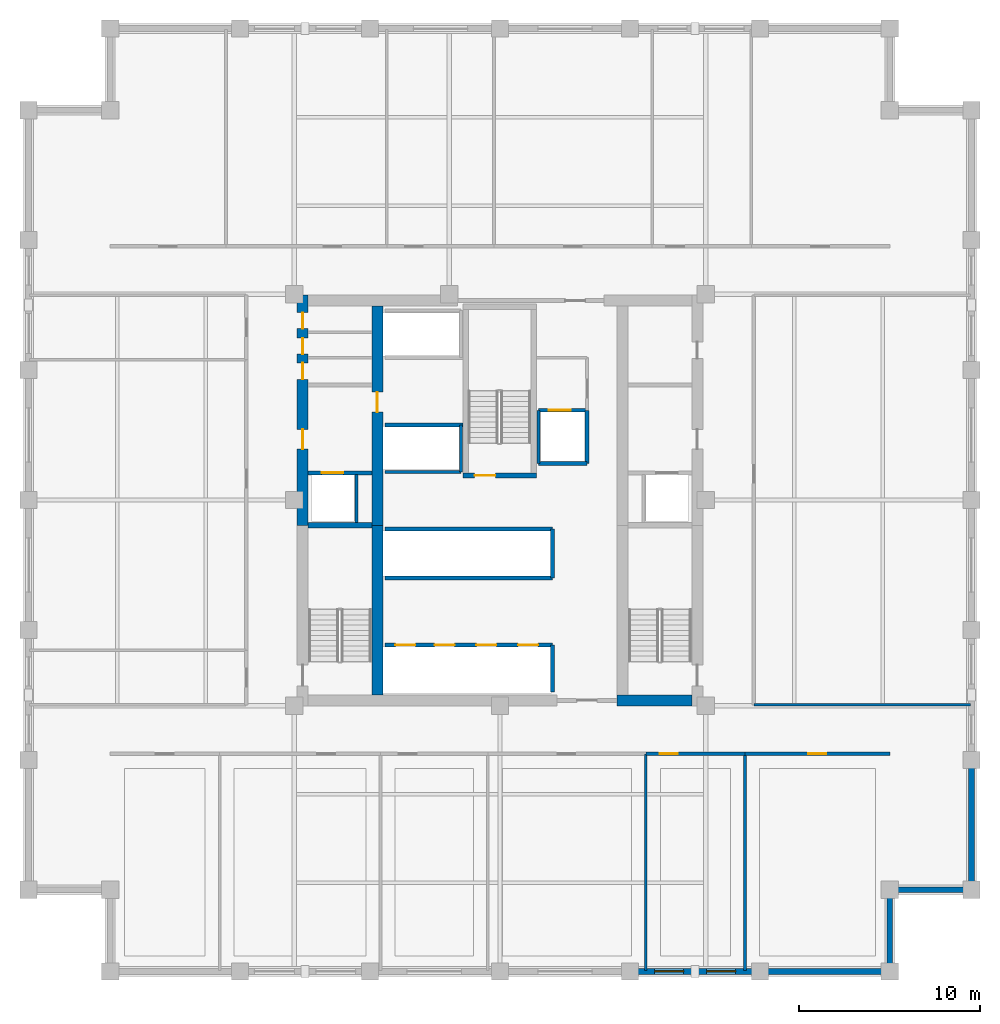
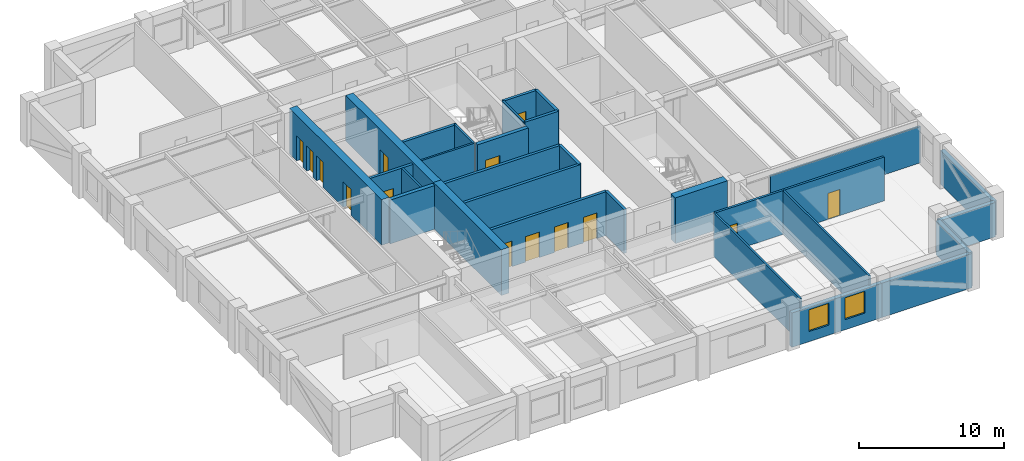
# One storey, part 3 of 9: 30 walls, 14 doors, 2 windows, 16 openings.
"""IFC4 building model written with IfcOpenShell, lengths in metres."""

from ifc_helpers import new_model, si_unit, direction, frame, frame_2d, origin, place, context, subcontext, project, spatial, rectangle, extrude, material, layer, layer_set, type_object, element, fill, save


model = new_model("IFC4")

# Units and contexts
model_context = context("Model", 3, precision=1e-05, world=origin(), true_north=direction((0.0, 1.0)))
body_context = subcontext(model_context, "Body", "Model", "MODEL_VIEW")
ifc_project = project(units=[si_unit("LENGTHUNIT", "METRE"), si_unit("AREAUNIT", "SQUARE_METRE"), si_unit("VOLUMEUNIT", "CUBIC_METRE"), si_unit("PLANEANGLEUNIT", "RADIAN"), si_unit("MASSUNIT", "GRAM", prefix="KILO")], contexts=[model_context])

# Site, building, storey
site_placement = place(None, origin())
site = spatial("IfcSite", under=ifc_project, at=site_placement, CompositionType="ELEMENT")
building_placement = place(site_placement, origin())
building = spatial("IfcBuilding", under=site, at=building_placement, Name="Nhamokura Convention Tower", CompositionType="ELEMENT")
storey_placement = place(building_placement, frame((0.0, 0.0, 122.14990234375)))
storey = spatial("IfcBuildingStorey", under=building, at=storey_placement, Name="L29", CompositionType="ELEMENT", Elevation=122.14990234375)

# Wall, openings, windows
ifc_material_1 = material(Name="Bronze-pigmented precast concrete C45/55", Category="concrete")
ifc_layer_1 = layer(ifc_material_1, 0.320068359375)
ifc_layer_set_1 = layer_set([ifc_layer_1], Name="BronzePrecastSpandrel_320")
wall_type_1 = type_object("IfcWallType", Name="BronzePrecastSpandrel_320", PredefinedType="USERDEFINED", material=ifc_layer_set_1)
wall_1_placement = place(storey_placement, frame((46.333251953125, 6.0, 0.0), z_axis=(0.0, 0.0, 1.0), x_axis=(-1.0, 0.0, 0.0)))
wall_1 = element("IfcWall", 1, at=wall_1_placement, inside=storey, type_object=wall_type_1, Name="L29 Masonry-Frame Wall SOUTH 4", ObjectType="SPANDREL_WALL", PredefinedType="USERDEFINED", context=body_context, shape_type="SweptSolid", body=[
    extrude(rectangle(XDim=7.16650390625, YDim=0.320068359375, at=frame_2d((3.583251953125, 0.0))), origin(), (0.0, 0.0, 1.0), 2.885009765625),
])
opening_1_placement = place(wall_1_placement, frame((1.341796875, 0.0, 0.85009765625)))
opening_1 = element("IfcOpeningElement", 2, at=opening_1_placement, cuts=wall_1, Name="Opening W-11", PredefinedType="OPENING", context=body_context, shape_type="SweptSolid", body=[
    extrude(rectangle(XDim=1.60009765625, YDim=1.8349609375, at=frame_2d((0.800048828125, 0.91748046875))), frame((0.0, 0.169921875, 0.0), z_axis=(0.0, -1.0, 0.0), x_axis=(1.0, 0.0, 0.0)), (0.0, 0.0, 1.0), 0.340087890625),
])
opening_2_placement = place(wall_1_placement, frame((4.199951171875, 0.0, 0.85009765625)))
opening_2 = element("IfcOpeningElement", 3, at=opening_2_placement, cuts=wall_1, Name="Opening W-11", PredefinedType="OPENING", context=body_context, shape_type="SweptSolid", body=[
    extrude(rectangle(XDim=1.60009765625, YDim=1.8349609375, at=frame_2d((0.800048828125, 0.91748046875))), frame((0.0, 0.169921875, 0.0), z_axis=(0.0, -1.0, 0.0), x_axis=(1.0, 0.0, 0.0)), (0.0, 0.0, 1.0), 0.340087890625),
])
ifc_material_2 = material(Name="Solar-control bronze low-E double glass", Category="glass")
window_type = type_object("IfcWindowType", Name="NotchCornerWindow_1600", PartitioningType="SINGLE_PANEL", PredefinedType="WINDOW", material=ifc_material_2)
window_1_placement = place(opening_1_placement, origin())
window_1 = element("IfcWindow", 4, at=window_1_placement, inside=storey, type_object=window_type, Name="L29 Facade Window SOUTH 4-1", OverallHeight=1.8349609375, OverallWidth=1.60009765625, PartitioningType="SINGLE_PANEL", PredefinedType="WINDOW", context=body_context, shape_type="SweptSolid", body=[
    extrude(rectangle(XDim=1.60009765625, YDim=1.8349609375, at=frame_2d((0.800048828125, 0.91748046875))), frame((0.0, 0.030029296875, 0.0), z_axis=(0.0, -1.0, 0.0), x_axis=(1.0, 0.0, 0.0)), (0.0, 0.0, 1.0), 0.06005859375),
])
fill(opening_1, window_1)
window_2_placement = place(opening_2_placement, origin())
window_2 = element("IfcWindow", 5, at=window_2_placement, inside=storey, type_object=window_type, Name="L29 Facade Window SOUTH 4-2", OverallHeight=1.8349609375, OverallWidth=1.60009765625, PartitioningType="SINGLE_PANEL", PredefinedType="WINDOW", context=body_context, shape_type="SweptSolid", body=[
    extrude(rectangle(XDim=1.60009765625, YDim=1.8349609375, at=frame_2d((0.800048828125, 0.91748046875))), frame((0.0, 0.030029296875, 0.0), z_axis=(0.0, -1.0, 0.0), x_axis=(1.0, 0.0, 0.0)), (0.0, 0.0, 1.0), 0.06005859375),
])
fill(opening_2, window_2)

# Walls
for number, where, z_axis, x_axis, name in (
    (6, (53.5, 6.0, 0.0), (0.0, 0.0, 1.0), (-1.0, 0.0, 0.0), "L29 Braced-Bay Precast Wall SOUTH 5"),
    (7, (58.0, 17.666748046875, 0.0), (0.0, 0.0, 1.0), (0.0, -1.0, 0.0), "L29 Braced-Bay Precast Wall EAST 0"),
):
    element("IfcWall", number, at=place(storey_placement, frame(where, z_axis=z_axis, x_axis=x_axis)), inside=storey, type_object=wall_type_1, Name=name, ObjectType="SPANDREL_WALL", PredefinedType="USERDEFINED", context=body_context, shape_type="SweptSolid", body=[
        extrude(rectangle(XDim=7.166748046875, YDim=0.320068359375, at=frame_2d((3.58349609375, 0.0))), origin(), (0.0, 0.0, 1.0), 2.885009765625),
    ])
for number, where, z_axis, x_axis, name in (
    (8, (53.5, 10.5, 0.0), (0.0, 0.0, 1.0), (0.0, -1.0, 0.0), "L29 Notched Corner Wall SE1"),
    (9, (58.0, 10.5, 0.0), (0.0, 0.0, 1.0), (-1.0, 0.0, 0.0), "L29 Notched Corner Wall SE2"),
):
    element("IfcWall", number, at=place(storey_placement, frame(where, z_axis=z_axis, x_axis=x_axis)), inside=storey, type_object=wall_type_1, Name=name, ObjectType="SPANDREL_WALL", PredefinedType="USERDEFINED", context=body_context, shape_type="SweptSolid", body=[
        extrude(rectangle(XDim=4.5, YDim=0.320068359375, at=frame_2d((2.25, 0.0))), origin(), (0.0, 0.0, 1.0), 2.885009765625),
    ])

# Wall, openings, doors
ifc_material_3 = material(Name="Concrete C60/75", Category="concrete")
ifc_layer_2 = layer(ifc_material_3, 0.60009765625)
ifc_layer_set_2 = layer_set([ifc_layer_2], Name="CoreShearWall_600")
wall_type_2 = type_object("IfcWallType", Name="CoreShearWall_600", PredefinedType="SHEAR", material=ifc_layer_set_2)
wall_2_placement = place(storey_placement, frame((21.110107421875, 30.60009765625, 0.0), z_axis=(0.0, 0.0, 1.0), x_axis=(0.0, 1.0, 0.0)))
wall_2 = element("IfcWall", 10, at=wall_2_placement, inside=storey, type_object=wall_type_2, Name="L29 Core Shear Wall CW-WN", PredefinedType="SHEAR", context=body_context, shape_type="SweptSolid", body=[
    extrude(rectangle(XDim=12.699951171875, YDim=0.60009765625, at=frame_2d((6.35009765625, 0.0))), origin(), (0.0, 0.0, 1.0), 3.85009765625),
])
opening_3_placement = place(wall_2_placement, frame((4.199951171875, 0.0, 0.0)))
opening_3 = element("IfcOpeningElement", 11, at=opening_3_placement, cuts=wall_2, Name="Opening D-05", PredefinedType="OPENING", context=body_context, shape_type="SweptSolid", body=[
    extrude(rectangle(XDim=1.10009765625, YDim=2.14990234375, at=frame_2d((0.550048828125, 1.074951171875))), frame((0.0, 0.31005859375, 0.0), z_axis=(0.0, -1.0, 0.0), x_axis=(1.0, 0.0, 0.0)), (0.0, 0.0, 1.0), 0.6201171875),
])
opening_4_placement = place(wall_2_placement, frame((8.050048828125, 0.0, 0.0)))
opening_4 = element("IfcOpeningElement", 12, at=opening_4_placement, cuts=wall_2, Name="Opening D-10", PredefinedType="OPENING", context=body_context, shape_type="SweptSolid", body=[
    extrude(rectangle(XDim=0.919921875, YDim=2.10009765625, at=frame_2d((0.4599609375, 1.050048828125))), frame((0.0, 0.31005859375, 0.0), z_axis=(0.0, -1.0, 0.0), x_axis=(1.0, 0.0, 0.0)), (0.0, 0.0, 1.0), 0.6201171875),
])
opening_5_placement = place(wall_2_placement, frame((9.449951171875, 0.0, 0.0)))
opening_5 = element("IfcOpeningElement", 13, at=opening_5_placement, cuts=wall_2, Name="Opening D-11", PredefinedType="OPENING", context=body_context, shape_type="SweptSolid", body=[
    extrude(rectangle(XDim=0.8798828125, YDim=2.10009765625, at=frame_2d((0.43994140625, 1.050048828125))), frame((0.0, 0.31005859375, 0.0), z_axis=(0.0, -1.0, 0.0), x_axis=(1.0, 0.0, 0.0)), (0.0, 0.0, 1.0), 0.6201171875),
])
opening_6_placement = place(wall_2_placement, frame((10.85009765625, 0.0, 0.0)))
opening_6 = element("IfcOpeningElement", 14, at=opening_6_placement, cuts=wall_2, Name="Opening D-11", PredefinedType="OPENING", context=body_context, shape_type="SweptSolid", body=[
    extrude(rectangle(XDim=0.8798828125, YDim=2.10009765625, at=frame_2d((0.43994140625, 1.050048828125))), frame((0.0, 0.31005859375, 0.0), z_axis=(0.0, -1.0, 0.0), x_axis=(1.0, 0.0, 0.0)), (0.0, 0.0, 1.0), 0.6201171875),
])
ifc_material_4 = material(Name="Solid oak hardwood", Category="wood")
door_type_1 = type_object("IfcDoorType", Name="AccessibleWCDoor_920", OperationType="NOTDEFINED", PredefinedType="DOOR", material=ifc_material_4)
door_1_placement = place(opening_4_placement, origin())
door_1 = element("IfcDoor", 15, at=door_1_placement, inside=storey, type_object=door_type_1, Name="L29 Core Door INT-L29-D-AWC", OperationType="SINGLE_SWING_LEFT", OverallHeight=2.10009765625, OverallWidth=0.919921875, PredefinedType="DOOR", context=body_context, shape_type="SweptSolid", body=[
    extrude(rectangle(XDim=0.919921875, YDim=2.10009765625, at=frame_2d((0.4599609375, 1.050048828125))), frame((0.0, 0.02490234375, 0.0), z_axis=(0.0, -1.0, 0.0), x_axis=(1.0, 0.0, 0.0)), (0.0, 0.0, 1.0), 0.050048828125),
])
fill(opening_4, door_1)
ifc_material_5 = material(Name="Solid oak hardwood", Category="wood")
door_type_2 = type_object("IfcDoorType", Name="BathroomDoor_880", OperationType="NOTDEFINED", PredefinedType="DOOR", material=ifc_material_5)
door_2_placement = place(opening_5_placement, origin())
door_2 = element("IfcDoor", 16, at=door_2_placement, inside=storey, type_object=door_type_2, Name="L29 Core Door INT-L29-D-CLN", OperationType="SINGLE_SWING_RIGHT", OverallHeight=2.10009765625, OverallWidth=0.8798828125, PredefinedType="DOOR", context=body_context, shape_type="SweptSolid", body=[
    extrude(rectangle(XDim=0.8798828125, YDim=2.10009765625, at=frame_2d((0.43994140625, 1.050048828125))), frame((0.0, 0.02490234375, 0.0), z_axis=(0.0, -1.0, 0.0), x_axis=(1.0, 0.0, 0.0)), (0.0, 0.0, 1.0), 0.050048828125),
])
fill(opening_5, door_2)
door_3_placement = place(opening_6_placement, origin())
door_3 = element("IfcDoor", 17, at=door_3_placement, inside=storey, type_object=door_type_2, Name="L29 Core Door INT-L29-D-PNT", OperationType="SINGLE_SWING_LEFT", OverallHeight=2.10009765625, OverallWidth=0.8798828125, PredefinedType="DOOR", context=body_context, shape_type="SweptSolid", body=[
    extrude(rectangle(XDim=0.8798828125, YDim=2.10009765625, at=frame_2d((0.43994140625, 1.050048828125))), frame((0.0, 0.02490234375, 0.0), z_axis=(0.0, -1.0, 0.0), x_axis=(1.0, 0.0, 0.0)), (0.0, 0.0, 1.0), 0.050048828125),
])
fill(opening_6, door_3)
ifc_material_6 = material(Name="Fire-rated steel door", Category="steel")
door_type_3 = type_object("IfcDoorType", Name="FireLobbyDoor_1100", OperationType="NOTDEFINED", PredefinedType="DOOR", material=ifc_material_6)
door_4_placement = place(opening_3_placement, origin())
door_4 = element("IfcDoor", 18, at=door_4_placement, inside=storey, type_object=door_type_3, Name="L29 Core Door INT-L29-D-FFLW", OperationType="SINGLE_SWING_RIGHT", OverallHeight=2.14990234375, OverallWidth=1.10009765625, PredefinedType="DOOR", context=body_context, shape_type="SweptSolid", body=[
    extrude(rectangle(XDim=1.10009765625, YDim=2.14990234375, at=frame_2d((0.550048828125, 1.074951171875))), frame((0.0, 0.02490234375, 0.0), z_axis=(0.0, -1.0, 0.0), x_axis=(1.0, 0.0, 0.0)), (0.0, 0.0, 1.0), 0.050048828125),
])
fill(opening_3, door_4)

# Walls
wall_3_placement = place(storey_placement, frame((38.449951171875, 20.949951171875, 0.0), z_axis=(0.0, 0.0, 1.0), x_axis=(1.0, 0.0, 0.0)))
element("IfcWall", 19, at=wall_3_placement, inside=storey, type_object=wall_type_2, Name="L29 Core Shear Wall CW-S2", PredefinedType="SHEAR", context=body_context, shape_type="SweptSolid", body=[
    extrude(rectangle(XDim=4.14013671875, YDim=0.60009765625, at=frame_2d((2.070068359375, 0.0))), origin(), (0.0, 0.0, 1.0), 3.85009765625),
])
wall_4_placement = place(storey_placement, frame((25.239990234375, 21.25, 0.0), z_axis=(0.0, 0.0, 1.0), x_axis=(0.0, 1.0, 0.0)))
element("IfcWall", 20, at=wall_4_placement, inside=storey, type_object=wall_type_2, Name="L29 Core Shear Wall CW-IWS", PredefinedType="SHEAR", context=body_context, shape_type="SweptSolid", body=[
    extrude(rectangle(XDim=9.35009765625, YDim=0.60009765625, at=frame_2d((4.675048828125, 0.0))), origin(), (0.0, 0.0, 1.0), 3.85009765625),
])

# Wall, opening, door
wall_5_placement = place(storey_placement, frame((25.239990234375, 30.60009765625, 0.0), z_axis=(0.0, 0.0, 1.0), x_axis=(0.0, 1.0, 0.0)))
wall_5 = element("IfcWall", 21, at=wall_5_placement, inside=storey, type_object=wall_type_2, Name="L29 Core Shear Wall CW-IWN", PredefinedType="SHEAR", context=body_context, shape_type="SweptSolid", body=[
    extrude(rectangle(XDim=12.099853515625, YDim=0.60009765625, at=frame_2d((6.0498046875, 0.0))), origin(), (0.0, 0.0, 1.0), 3.85009765625),
])
opening_7_placement = place(wall_5_placement, frame((6.25, 0.0, 0.0)))
opening_7 = element("IfcOpeningElement", 22, at=opening_7_placement, cuts=wall_5, Name="Opening D-05", PredefinedType="OPENING", context=body_context, shape_type="SweptSolid", body=[
    extrude(rectangle(XDim=1.10009765625, YDim=2.14990234375, at=frame_2d((0.550048828125, 1.074951171875))), frame((0.0, 0.31005859375, 0.0), z_axis=(0.0, -1.0, 0.0), x_axis=(1.0, 0.0, 0.0)), (0.0, 0.0, 1.0), 0.6201171875),
])
door_5_placement = place(opening_7_placement, origin())
door_5 = element("IfcDoor", 23, at=door_5_placement, inside=storey, type_object=door_type_3, Name="L29 Core Door INT-L29-D-B3LOB", OperationType="SINGLE_SWING_LEFT", OverallHeight=2.14990234375, OverallWidth=1.10009765625, PredefinedType="DOOR", context=body_context, shape_type="SweptSolid", body=[
    extrude(rectangle(XDim=1.10009765625, YDim=2.14990234375, at=frame_2d((0.550048828125, 1.074951171875))), frame((0.0, 0.02490234375, 0.0), z_axis=(0.0, -1.0, 0.0), x_axis=(1.0, 0.0, 0.0)), (0.0, 0.0, 1.0), 0.050048828125),
])
fill(opening_7, door_5)

ifc_material_7 = material(Name="Fire-rated gypsum and masonry partition", Category="masonry")
ifc_layer_3 = layer(ifc_material_7, 0.179931640625)
ifc_layer_set_3 = layer_set([ifc_layer_3], Name="CorridorRatedWall_180")
wall_type_3 = type_object("IfcWallType", Name="CorridorRatedWall_180", PredefinedType="STANDARD", material=ifc_layer_set_3)
wall_6_placement = place(storey_placement, frame((40.041748046875, 18.0, 0.0), z_axis=(0.0, 0.0, 1.0), x_axis=(1.0, 0.0, 0.0)))
wall_6 = element("IfcWall", 24, at=wall_6_placement, inside=storey, type_object=wall_type_3, Name="L29 Wall INT-L29-CW-S04", PredefinedType="STANDARD", context=body_context, shape_type="SweptSolid", body=[
    extrude(rectangle(XDim=5.466552734375, YDim=0.179931640625, at=frame_2d((2.7333984375, 0.0))), origin(), (0.0, 0.0, 1.0), 3.68505859375),
])
opening_8_placement = place(wall_6_placement, frame((0.783203125, 0.0, 0.0)))
opening_8 = element("IfcOpeningElement", 25, at=opening_8_placement, cuts=wall_6, Name="Opening D-08", PredefinedType="OPENING", context=body_context, shape_type="SweptSolid", body=[
    extrude(rectangle(XDim=0.97998046875, YDim=2.199951171875, at=frame_2d((0.489990234375, 1.10009765625))), frame((0.0, 0.099853515625, 0.0), z_axis=(0.0, -1.0, 0.0), x_axis=(1.0, 0.0, 0.0)), (0.0, 0.0, 1.0), 0.199951171875),
])
ifc_material_8 = material(Name="Solid oak hardwood", Category="wood")
door_type_4 = type_object("IfcDoorType", Name="OfficeEntryDoor_980", OperationType="NOTDEFINED", PredefinedType="DOOR", material=ifc_material_8)
door_6_placement = place(opening_8_placement, origin())
door_6 = element("IfcDoor", 26, at=door_6_placement, inside=storey, type_object=door_type_4, Name="L29 Private Office S05 Door", OperationType="SINGLE_SWING_LEFT", OverallHeight=2.199951171875, OverallWidth=0.97998046875, PredefinedType="DOOR", context=body_context, shape_type="SweptSolid", body=[
    extrude(rectangle(XDim=0.97998046875, YDim=2.199951171875, at=frame_2d((0.489990234375, 1.10009765625))), frame((0.0, 0.02490234375, 0.0), z_axis=(0.0, -1.0, 0.0), x_axis=(1.0, 0.0, 0.0)), (0.0, 0.0, 1.0), 0.050048828125),
])
fill(opening_8, door_6)

wall_7_placement = place(storey_placement, frame((45.50830078125, 18.0, 0.0), z_axis=(0.0, 0.0, 1.0), x_axis=(1.0, 0.0, 0.0)))
wall_7 = element("IfcWall", 27, at=wall_7_placement, inside=storey, type_object=wall_type_3, Name="L29 Wall INT-L29-CW-S05", PredefinedType="STANDARD", context=body_context, shape_type="SweptSolid", body=[
    extrude(rectangle(XDim=7.99169921875, YDim=0.179931640625, at=frame_2d((3.995849609375, 0.0))), origin(), (0.0, 0.0, 1.0), 3.68505859375),
])
opening_9_placement = place(wall_7_placement, frame((3.495849609375, 0.0, 0.0)))
opening_9 = element("IfcOpeningElement", 28, at=opening_9_placement, cuts=wall_7, Name="Opening D-08", PredefinedType="OPENING", context=body_context, shape_type="SweptSolid", body=[
    extrude(rectangle(XDim=0.97998046875, YDim=2.199951171875, at=frame_2d((0.489990234375, 1.10009765625))), frame((0.0, 0.099853515625, 0.0), z_axis=(0.0, -1.0, 0.0), x_axis=(1.0, 0.0, 0.0)), (0.0, 0.0, 1.0), 0.199951171875),
])
door_7_placement = place(opening_9_placement, origin())
door_7 = element("IfcDoor", 29, at=door_7_placement, inside=storey, type_object=door_type_4, Name="L29 Private Office S06 Door", OperationType="SINGLE_SWING_RIGHT", OverallHeight=2.199951171875, OverallWidth=0.97998046875, PredefinedType="DOOR", context=body_context, shape_type="SweptSolid", body=[
    extrude(rectangle(XDim=0.97998046875, YDim=2.199951171875, at=frame_2d((0.489990234375, 1.10009765625))), frame((0.0, 0.02490234375, 0.0), z_axis=(0.0, -1.0, 0.0), x_axis=(1.0, 0.0, 0.0)), (0.0, 0.0, 1.0), 0.050048828125),
])
fill(opening_9, door_7)

ifc_material_9 = material(Name="Autoclaved concrete blockwork", Category="masonry")
ifc_layer_4 = layer(ifc_material_9, 0.219970703125)
ifc_layer_set_4 = layer_set([ifc_layer_4], Name="FireLobbyWall_220")
wall_type_4 = type_object("IfcWallType", Name="FireLobbyWall_220", PredefinedType="STANDARD", material=ifc_layer_set_4)
wall_8_placement = place(storey_placement, frame((21.409912109375, 33.5, 0.0), z_axis=(0.0, 0.0, 1.0), x_axis=(1.0, 0.0, 0.0)))
wall_8 = element("IfcWall", 30, at=wall_8_placement, inside=storey, type_object=wall_type_4, Name="L29 Wall INT-L29-FFW-S", PredefinedType="STANDARD", context=body_context, shape_type="SweptSolid", body=[
    extrude(rectangle(XDim=3.530029296875, YDim=0.219970703125, at=frame_2d((1.76513671875, 0.0))), origin(), (0.0, 0.0, 1.0), 3.68505859375),
])
opening_10_placement = place(wall_8_placement, frame((0.75, 0.0, 0.0)))
opening_10 = element("IfcOpeningElement", 31, at=opening_10_placement, cuts=wall_8, Name="Opening LD-02", PredefinedType="OPENING", context=body_context, shape_type="SweptSolid", body=[
    extrude(rectangle(XDim=1.199951171875, YDim=2.199951171875, at=frame_2d((0.60009765625, 1.10009765625))), frame((0.0, 0.119873046875, 0.0), z_axis=(0.0, -1.0, 0.0), x_axis=(1.0, 0.0, 0.0)), (0.0, 0.0, 1.0), 0.239990234375),
])
ifc_material_10 = material(Name="Anodised bronze stainless steel", Category="steel")
door_type_5 = type_object("IfcDoorType", Name="LiftLandingDoor_FireService", OperationType="DOUBLE_DOOR_SLIDING", PredefinedType="DOOR", material=ifc_material_10)
door_8_placement = place(opening_10_placement, origin())
door_8 = element("IfcDoor", 32, at=door_8_placement, inside=storey, type_object=door_type_5, Name="L29 Firefighting Lift LF-01 Door", OperationType="DOUBLE_DOOR_SLIDING", OverallHeight=2.199951171875, OverallWidth=1.199951171875, PredefinedType="DOOR", context=body_context, shape_type="SweptSolid", body=[
    extrude(rectangle(XDim=1.199951171875, YDim=2.199951171875, at=frame_2d((0.60009765625, 1.10009765625))), frame((0.0, 0.02490234375, 0.0), z_axis=(0.0, -1.0, 0.0), x_axis=(1.0, 0.0, 0.0)), (0.0, 0.0, 1.0), 0.050048828125),
])
fill(opening_10, door_8)

# Wall, openings, doors
wall_9_placement = place(storey_placement, frame((25.64990234375, 24.0, 0.0), z_axis=(0.0, 0.0, 1.0), x_axis=(1.0, 0.0, 0.0)))
wall_9 = element("IfcWall", 33, at=wall_9_placement, inside=storey, type_object=wall_type_4, Name="L29 Wall INT-L29-B1N", PredefinedType="STANDARD", context=body_context, shape_type="SweptSolid", body=[
    extrude(rectangle(XDim=9.25, YDim=0.219970703125, at=frame_2d((4.625, 0.0))), origin(), (0.0, 0.0, 1.0), 3.68505859375),
])
opening_11_placement = place(wall_9_placement, frame((0.580078125, 0.0, 0.0)))
opening_11 = element("IfcOpeningElement", 34, at=opening_11_placement, cuts=wall_9, Name="Opening LD-01", PredefinedType="OPENING", context=body_context, shape_type="SweptSolid", body=[
    extrude(rectangle(XDim=1.10009765625, YDim=2.14990234375, at=frame_2d((0.550048828125, 1.074951171875))), frame((0.0, 0.119873046875, 0.0), z_axis=(0.0, -1.0, 0.0), x_axis=(1.0, 0.0, 0.0)), (0.0, 0.0, 1.0), 0.239990234375),
])
opening_12_placement = place(wall_9_placement, frame((2.75, 0.0, 0.0)))
opening_12 = element("IfcOpeningElement", 35, at=opening_12_placement, cuts=wall_9, Name="Opening LD-01", PredefinedType="OPENING", context=body_context, shape_type="SweptSolid", body=[
    extrude(rectangle(XDim=1.10009765625, YDim=2.14990234375, at=frame_2d((0.550048828125, 1.074951171875))), frame((0.0, 0.119873046875, 0.0), z_axis=(0.0, -1.0, 0.0), x_axis=(1.0, 0.0, 0.0)), (0.0, 0.0, 1.0), 0.239990234375),
])
opening_13_placement = place(wall_9_placement, frame((5.050048828125, 0.0, 0.0)))
opening_13 = element("IfcOpeningElement", 36, at=opening_13_placement, cuts=wall_9, Name="Opening LD-01", PredefinedType="OPENING", context=body_context, shape_type="SweptSolid", body=[
    extrude(rectangle(XDim=1.10009765625, YDim=2.14990234375, at=frame_2d((0.550048828125, 1.074951171875))), frame((0.0, 0.119873046875, 0.0), z_axis=(0.0, -1.0, 0.0), x_axis=(1.0, 0.0, 0.0)), (0.0, 0.0, 1.0), 0.239990234375),
])
opening_14_placement = place(wall_9_placement, frame((7.35009765625, 0.0, 0.0)))
opening_14 = element("IfcOpeningElement", 37, at=opening_14_placement, cuts=wall_9, Name="Opening LD-01", PredefinedType="OPENING", context=body_context, shape_type="SweptSolid", body=[
    extrude(rectangle(XDim=1.10009765625, YDim=2.14990234375, at=frame_2d((0.550048828125, 1.074951171875))), frame((0.0, 0.119873046875, 0.0), z_axis=(0.0, -1.0, 0.0), x_axis=(1.0, 0.0, 0.0)), (0.0, 0.0, 1.0), 0.239990234375),
])
ifc_material_11 = material(Name="Anodised bronze stainless steel", Category="steel")
door_type_6 = type_object("IfcDoorType", Name="LiftLandingDoor_Passenger", OperationType="DOUBLE_DOOR_SLIDING", PredefinedType="DOOR", material=ifc_material_11)
door_9_placement = place(opening_11_placement, origin())
door_9 = element("IfcDoor", 38, at=door_9_placement, inside=storey, type_object=door_type_6, Name="L29 Lift LP-01 Landing Door", OperationType="DOUBLE_DOOR_SLIDING", OverallHeight=2.14990234375, OverallWidth=1.10009765625, PredefinedType="DOOR", context=body_context, shape_type="SweptSolid", body=[
    extrude(rectangle(XDim=1.10009765625, YDim=2.14990234375, at=frame_2d((0.550048828125, 1.074951171875))), frame((0.0, 0.02490234375, 0.0), z_axis=(0.0, -1.0, 0.0), x_axis=(1.0, 0.0, 0.0)), (0.0, 0.0, 1.0), 0.050048828125),
])
fill(opening_11, door_9)
door_10_placement = place(opening_12_placement, origin())
door_10 = element("IfcDoor", 39, at=door_10_placement, inside=storey, type_object=door_type_6, Name="L29 Lift LP-02 Landing Door", OperationType="DOUBLE_DOOR_SLIDING", OverallHeight=2.14990234375, OverallWidth=1.10009765625, PredefinedType="DOOR", context=body_context, shape_type="SweptSolid", body=[
    extrude(rectangle(XDim=1.10009765625, YDim=2.14990234375, at=frame_2d((0.550048828125, 1.074951171875))), frame((0.0, 0.02490234375, 0.0), z_axis=(0.0, -1.0, 0.0), x_axis=(1.0, 0.0, 0.0)), (0.0, 0.0, 1.0), 0.050048828125),
])
fill(opening_12, door_10)
door_11_placement = place(opening_13_placement, origin())
door_11 = element("IfcDoor", 40, at=door_11_placement, inside=storey, type_object=door_type_6, Name="L29 Lift LP-03 Landing Door", OperationType="DOUBLE_DOOR_SLIDING", OverallHeight=2.14990234375, OverallWidth=1.10009765625, PredefinedType="DOOR", context=body_context, shape_type="SweptSolid", body=[
    extrude(rectangle(XDim=1.10009765625, YDim=2.14990234375, at=frame_2d((0.550048828125, 1.074951171875))), frame((0.0, 0.02490234375, 0.0), z_axis=(0.0, -1.0, 0.0), x_axis=(1.0, 0.0, 0.0)), (0.0, 0.0, 1.0), 0.050048828125),
])
fill(opening_13, door_11)
door_12_placement = place(opening_14_placement, origin())
door_12 = element("IfcDoor", 41, at=door_12_placement, inside=storey, type_object=door_type_6, Name="L29 Lift LP-04 Landing Door", OperationType="DOUBLE_DOOR_SLIDING", OverallHeight=2.14990234375, OverallWidth=1.10009765625, PredefinedType="DOOR", context=body_context, shape_type="SweptSolid", body=[
    extrude(rectangle(XDim=1.10009765625, YDim=2.14990234375, at=frame_2d((0.550048828125, 1.074951171875))), frame((0.0, 0.02490234375, 0.0), z_axis=(0.0, -1.0, 0.0), x_axis=(1.0, 0.0, 0.0)), (0.0, 0.0, 1.0), 0.050048828125),
])
fill(opening_14, door_12)

# Walls
wall_10_placement = place(storey_placement, frame((34.89990234375, 21.39990234375, 0.0), z_axis=(0.0, 0.0, 1.0), x_axis=(0.0, 1.0, 0.0)))
element("IfcWall", 42, at=wall_10_placement, inside=storey, type_object=wall_type_4, Name="L29 Wall INT-L29-B1E", PredefinedType="STANDARD", context=body_context, shape_type="SweptSolid", body=[
    extrude(rectangle(XDim=2.60009765625, YDim=0.219970703125, at=frame_2d((1.300048828125, 0.0))), origin(), (0.0, 0.0, 1.0), 3.68505859375),
])
for number, where, z_axis, x_axis, name in (
    (43, (25.64990234375, 27.699951171875, 0.0), (0.0, 0.0, 1.0), (1.0, 0.0, 0.0), "L29 Wall INT-L29-B2S"),
    (44, (25.64990234375, 30.39990234375, 0.0), (0.0, 0.0, 1.0), (1.0, 0.0, 0.0), "L29 Wall INT-L29-B2N"),
):
    element("IfcWall", number, at=place(storey_placement, frame(where, z_axis=z_axis, x_axis=x_axis)), inside=storey, type_object=wall_type_4, Name=name, PredefinedType="STANDARD", context=body_context, shape_type="SweptSolid", body=[
        extrude(rectangle(XDim=9.25, YDim=0.219970703125, at=frame_2d((4.625, 0.0))), origin(), (0.0, 0.0, 1.0), 3.68505859375),
    ])
wall_11_placement = place(storey_placement, frame((34.89990234375, 27.699951171875, 0.0), z_axis=(0.0, 0.0, 1.0), x_axis=(0.0, 1.0, 0.0)))
element("IfcWall", 45, at=wall_11_placement, inside=storey, type_object=wall_type_4, Name="L29 Wall INT-L29-B2E", PredefinedType="STANDARD", context=body_context, shape_type="SweptSolid", body=[
    extrude(rectangle(XDim=2.699951171875, YDim=0.219970703125, at=frame_2d((1.35009765625, 0.0))), origin(), (0.0, 0.0, 1.0), 3.68505859375),
])
wall_12_placement = place(storey_placement, frame((25.64990234375, 36.14990234375, 0.0), z_axis=(0.0, 0.0, 1.0), x_axis=(1.0, 0.0, 0.0)))
element("IfcWall", 46, at=wall_12_placement, inside=storey, type_object=wall_type_4, Name="L29 Wall INT-L29-B3S", PredefinedType="STANDARD", context=body_context, shape_type="SweptSolid", body=[
    extrude(rectangle(XDim=4.300048828125, YDim=0.219970703125, at=frame_2d((2.14990234375, 0.0))), origin(), (0.0, 0.0, 1.0), 3.68505859375),
])

# Wall, opening, door
wall_13_placement = place(storey_placement, frame((34.1201171875, 36.949951171875, 0.0), z_axis=(0.0, 0.0, 1.0), x_axis=(1.0, 0.0, 0.0)))
wall_13 = element("IfcWall", 47, at=wall_13_placement, inside=storey, type_object=wall_type_4, Name="L29 Wall INT-L29-LSN", PredefinedType="STANDARD", context=body_context, shape_type="SweptSolid", body=[
    extrude(rectangle(XDim=2.679931640625, YDim=0.219970703125, at=frame_2d((1.33984375, 0.0))), origin(), (0.0, 0.0, 1.0), 3.68505859375),
])
opening_15_placement = place(wall_13_placement, frame((0.580078125, 0.0, 0.0)))
opening_15 = element("IfcOpeningElement", 48, at=opening_15_placement, cuts=wall_13, Name="Opening LD-02", PredefinedType="OPENING", context=body_context, shape_type="SweptSolid", body=[
    extrude(rectangle(XDim=1.199951171875, YDim=2.199951171875, at=frame_2d((0.60009765625, 1.10009765625))), frame((0.0, 0.119873046875, 0.0), z_axis=(0.0, -1.0, 0.0), x_axis=(1.0, 0.0, 0.0)), (0.0, 0.0, 1.0), 0.239990234375),
])
door_13_placement = place(opening_15_placement, origin())
door_13 = element("IfcDoor", 49, at=door_13_placement, inside=storey, type_object=door_type_5, Name="L29 Service Lift LS-01 Door", OperationType="DOUBLE_DOOR_SLIDING", OverallHeight=2.199951171875, OverallWidth=1.199951171875, PredefinedType="DOOR", context=body_context, shape_type="SweptSolid", body=[
    extrude(rectangle(XDim=1.199951171875, YDim=2.199951171875, at=frame_2d((0.60009765625, 1.10009765625))), frame((0.0, 0.02490234375, 0.0), z_axis=(0.0, -1.0, 0.0), x_axis=(1.0, 0.0, 0.0)), (0.0, 0.0, 1.0), 0.050048828125),
])
fill(opening_15, door_13)

# Walls
wall_14_placement = place(storey_placement, frame((36.800048828125, 34.02001953125, 0.0), z_axis=(0.0, 0.0, 1.0), x_axis=(0.0, 1.0, 0.0)))
element("IfcWall", 50, at=wall_14_placement, inside=storey, type_object=wall_type_4, Name="L29 Wall INT-L29-LSE", PredefinedType="STANDARD", context=body_context, shape_type="SweptSolid", body=[
    extrude(rectangle(XDim=2.929931640625, YDim=0.219970703125, at=frame_2d((1.46484375, 0.0))), origin(), (0.0, 0.0, 1.0), 3.68505859375),
])
wall_15_placement = place(storey_placement, frame((34.1201171875, 34.02001953125, 0.0), z_axis=(0.0, 0.0, 1.0), x_axis=(1.0, 0.0, 0.0)))
element("IfcWall", 51, at=wall_15_placement, inside=storey, type_object=wall_type_4, Name="L29 Wall INT-L29-LSS", PredefinedType="STANDARD", context=body_context, shape_type="SweptSolid", body=[
    extrude(rectangle(XDim=2.679931640625, YDim=0.219970703125, at=frame_2d((1.33984375, 0.0))), origin(), (0.0, 0.0, 1.0), 3.68505859375),
])
ifc_material_12 = material(Name="Acoustic gypsum stud partition", Category="masonry")
ifc_layer_5 = layer(ifc_material_12, 0.14990234375)
ifc_layer_set_5 = layer_set([ifc_layer_5], Name="InteriorPartition_150")
wall_type_5 = type_object("IfcWallType", Name="InteriorPartition_150", PredefinedType="STANDARD", material=ifc_layer_set_5)
wall_16_placement = place(storey_placement, frame((24.080078125, 30.75, 0.0), z_axis=(0.0, 0.0, 1.0), x_axis=(0.0, 1.0, 0.0)))
element("IfcWall", 52, at=wall_16_placement, inside=storey, type_object=wall_type_5, Name="L29 Wall INT-L29-FF1-E", PredefinedType="STANDARD", context=body_context, shape_type="SweptSolid", body=[
    extrude(rectangle(XDim=2.64990234375, YDim=0.14990234375, at=frame_2d((1.324951171875, 0.0))), origin(), (0.0, 0.0, 1.0), 3.68505859375),
])
wall_17_placement = place(storey_placement, frame((25.64990234375, 33.550048828125, 0.0), z_axis=(0.0, 0.0, 1.0), x_axis=(1.0, 0.0, 0.0)))
element("IfcWall", 53, at=wall_17_placement, inside=storey, type_object=wall_type_5, Name="L29 Wall INT-L29-B3A-S", PredefinedType="STANDARD", context=body_context, shape_type="SweptSolid", body=[
    extrude(rectangle(XDim=4.2001953125, YDim=0.14990234375, at=frame_2d((2.10009765625, 0.0))), origin(), (0.0, 0.0, 1.0), 3.68505859375),
])
wall_18_placement = place(storey_placement, frame((29.85009765625, 33.550048828125, 0.0), z_axis=(0.0, 0.0, 1.0), x_axis=(0.0, 1.0, 0.0)))
element("IfcWall", 54, at=wall_18_placement, inside=storey, type_object=wall_type_5, Name="L29 Wall INT-L29-B3A-E", PredefinedType="STANDARD", context=body_context, shape_type="SweptSolid", body=[
    extrude(rectangle(XDim=2.599853515625, YDim=0.14990234375, at=frame_2d((1.2998046875, 0.0))), origin(), (0.0, 0.0, 1.0), 3.68505859375),
])
wall_19_placement = place(storey_placement, frame((34.1201171875, 34.02001953125, 0.0), z_axis=(0.0, 0.0, 1.0), x_axis=(0.0, 1.0, 0.0)))
element("IfcWall", 55, at=wall_19_placement, inside=storey, type_object=wall_type_5, Name="L29 Wall INT-L29-LSW", PredefinedType="STANDARD", context=body_context, shape_type="SweptSolid", body=[
    extrude(rectangle(XDim=2.929931640625, YDim=0.14990234375, at=frame_2d((1.46484375, 0.0))), origin(), (0.0, 0.0, 1.0), 3.68505859375),
])
for number, where, z_axis, x_axis, name in (
    (56, (40.041748046875, 6.06005859375, 0.0), (0.0, 0.0, 1.0), (0.0, 1.0, 0.0), "L29 Wall INT-L29-RW-S04"),
    (57, (45.50830078125, 6.06005859375, 0.0), (0.0, 0.0, 1.0), (0.0, 1.0, 0.0), "L29 Wall INT-L29-RW-S05"),
):
    element("IfcWall", number, at=place(storey_placement, frame(where, z_axis=z_axis, x_axis=x_axis)), inside=storey, type_object=wall_type_5, Name=name, PredefinedType="STANDARD", context=body_context, shape_type="SweptSolid", body=[
        extrude(rectangle(XDim=11.93994140625, YDim=0.14990234375, at=frame_2d((5.969970703125, 0.0))), origin(), (0.0, 0.0, 1.0), 3.68505859375),
    ])
wall_20_placement = place(storey_placement, frame((46.0, 20.699951171875, 0.0), z_axis=(0.0, 0.0, 1.0), x_axis=(1.0, 0.0, 0.0)))
element("IfcWall", 58, at=wall_20_placement, inside=storey, type_object=wall_type_5, Name="L29 Wall INT-L29-RWB-E", PredefinedType="STANDARD", context=body_context, shape_type="SweptSolid", body=[
    extrude(rectangle(XDim=11.93994140625, YDim=0.14990234375, at=frame_2d((5.969970703125, 0.0))), origin(), (0.0, 0.0, 1.0), 3.065185546875),
])
ifc_material_13 = material(Name="Concrete C50/60", Category="concrete")
ifc_layer_6 = layer(ifc_material_13, 0.300048828125)
ifc_layer_set_6 = layer_set([ifc_layer_6], Name="ShaftEnclosureWall_300")
wall_type_6 = type_object("IfcWallType", Name="ShaftEnclosureWall_300", PredefinedType="SHEAR", material=ifc_layer_set_6)
wall_21_placement = place(storey_placement, frame((21.409912109375, 30.60009765625, 0.0), z_axis=(0.0, 0.0, 1.0), x_axis=(1.0, 0.0, 0.0)))
element("IfcWall", 59, at=wall_21_placement, inside=storey, type_object=wall_type_6, Name="L29 Wall INT-L29-ST01-N", PredefinedType="SHEAR", context=body_context, shape_type="SweptSolid", body=[
    extrude(rectangle(XDim=3.530029296875, YDim=0.300048828125, at=frame_2d((1.76513671875, 0.0))), origin(), (0.0, 0.0, 1.0), 3.68505859375),
])

# Wall, opening, door
wall_22_placement = place(storey_placement, frame((29.949951171875, 33.35009765625, 0.0), z_axis=(0.0, 0.0, 1.0), x_axis=(1.0, 0.0, 0.0)))
wall_22 = element("IfcWall", 60, at=wall_22_placement, inside=storey, type_object=wall_type_6, Name="L29 Wall INT-L29-ST03S", PredefinedType="SHEAR", context=body_context, shape_type="SweptSolid", body=[
    extrude(rectangle(XDim=4.050048828125, YDim=0.300048828125, at=frame_2d((2.02490234375, 0.0))), origin(), (0.0, 0.0, 1.0), 3.68505859375),
])
opening_16_placement = place(wall_22_placement, frame((0.64990234375, 0.0, 0.0)))
opening_16 = element("IfcOpeningElement", 61, at=opening_16_placement, cuts=wall_22, Name="Opening D-04", PredefinedType="OPENING", context=body_context, shape_type="SweptSolid", body=[
    extrude(rectangle(XDim=1.14990234375, YDim=2.14990234375, at=frame_2d((0.574951171875, 1.074951171875))), frame((0.0, 0.159912109375, 0.0), z_axis=(0.0, -1.0, 0.0), x_axis=(1.0, 0.0, 0.0)), (0.0, 0.0, 1.0), 0.320068359375),
])
ifc_material_14 = material(Name="Fire-rated steel door", Category="steel")
door_type_7 = type_object("IfcDoorType", Name="StairSmokeDoor_1150", OperationType="NOTDEFINED", PredefinedType="DOOR", material=ifc_material_14)
door_14_placement = place(opening_16_placement, origin())
door_14 = element("IfcDoor", 62, at=door_14_placement, inside=storey, type_object=door_type_7, Name="L29 Stair ST-03 Smoke Door", OperationType="SINGLE_SWING_LEFT", OverallHeight=2.14990234375, OverallWidth=1.14990234375, PredefinedType="DOOR", context=body_context, shape_type="SweptSolid", body=[
    extrude(rectangle(XDim=1.14990234375, YDim=2.14990234375, at=frame_2d((0.574951171875, 1.074951171875))), frame((0.0, 0.02490234375, 0.0), z_axis=(0.0, -1.0, 0.0), x_axis=(1.0, 0.0, 0.0)), (0.0, 0.0, 1.0), 0.050048828125),
])
fill(opening_16, door_14)

save(model, "model.ifc")
